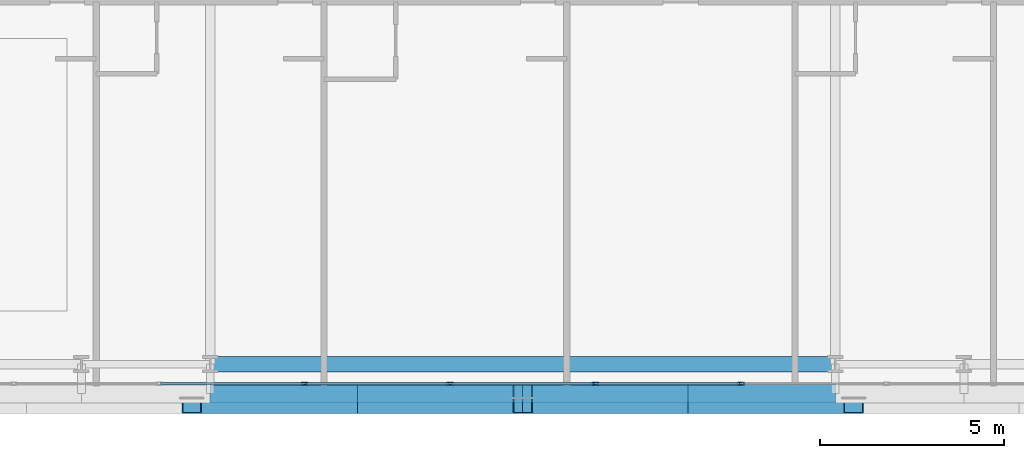
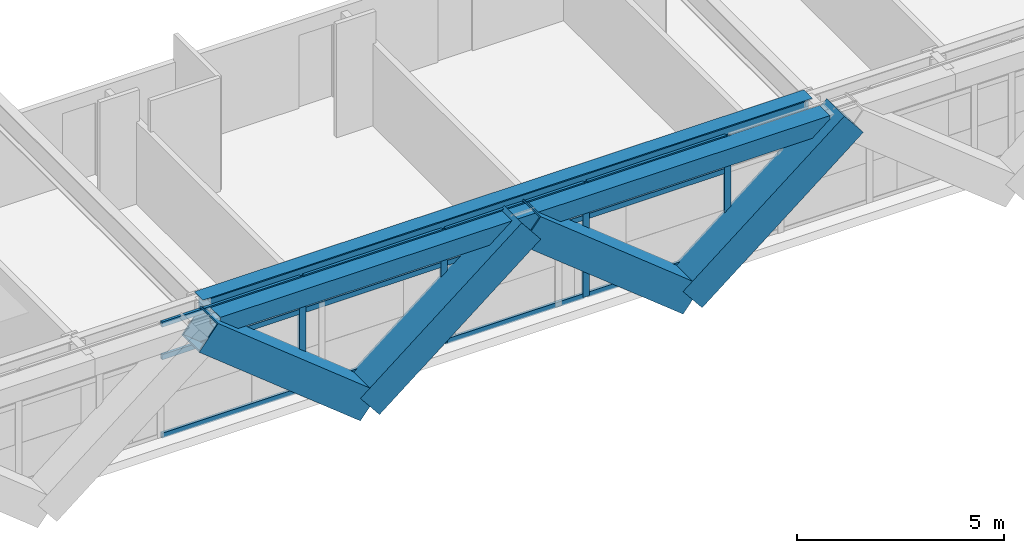
# One storey, part 5 of 41: 20 members, 2 beams, 1 element without a shape of its own.
"""IFC4 building model written with IfcOpenShell, lengths in metres."""

import ifcopenshell
import ifcopenshell.guid

model = None  # the IFC model being written
_history = None  # IfcOwnerHistory: only IFC2X3 demands one
_inside = {}  # id of a spatial element -> (the spatial element, [elements in it])
_under = {}  # id of a project, library or spatial element -> (it, [spatial elements below it])
_declared = {}  # id of a project -> (the project, [libraries it declares])
_typed = {}  # id of a type object -> (the type object, [elements of that type])
_made_of = {}  # id of a material, layer set ... -> (it, [elements and type objects made of it])


def new_model(schema):
    """Start an empty IFC model of exactly this schema.

    Asked for "IFC4X3", IfcOpenShell would pick the latest addendum, in which some entities
    have other attributes; the version numbers below select the first issue.
    IFC2X3 requires an IfcOwnerHistory on every rooted entity: one is made here for all.
    """
    global model, _history
    if schema == "IFC4X3":
        model = ifcopenshell.file(schema_version=(4, 3, 0, 0))
    else:
        model = ifcopenshell.file(schema=schema)
    _inside.clear()
    _under.clear()
    _declared.clear()
    _typed.clear()
    _made_of.clear()
    _history = None
    if model.schema == "IFC2X3":
        org = make("IfcOrganization", Name="unknown")
        user = make(
            "IfcPersonAndOrganization",
            ThePerson=make("IfcPerson", FamilyName="unknown"),
            TheOrganization=org,
        )
        app = make(
            "IfcApplication",
            ApplicationDeveloper=org,
            Version="unknown",
            ApplicationFullName="unknown",
            ApplicationIdentifier="unknown",
        )
        _history = make(
            "IfcOwnerHistory",
            OwningUser=user,
            OwningApplication=app,
            ChangeAction="ADDED",
            CreationDate=0,
        )
    return model


def make(cls, **values):
    """One entity of the class cls with the attributes given. An attribute that is None is left unset."""
    return model.create_entity(
        cls, **{name: value for name, value in values.items() if value is not None}
    )


def rooted(cls, **values):
    """An entity with a GlobalId (a new one), such as an element, a storey or a relation."""
    return make(cls, GlobalId=ifcopenshell.guid.new(), OwnerHistory=_history, **values)


def si_unit(unit_type, name, prefix=None):
    """IfcSIUnit, for example si_unit("LENGTHUNIT", "METRE", prefix="MILLI")."""
    return make("IfcSIUnit", UnitType=unit_type, Prefix=prefix, Name=name)


def assignment(units):
    """IfcUnitAssignment: the units of a project."""
    return None if units is None else make("IfcUnitAssignment", Units=units)


def point(xyz):
    """IfcCartesianPoint."""
    return None if xyz is None else make("IfcCartesianPoint", Coordinates=xyz)


def direction(xyz):
    """IfcDirection."""
    return None if xyz is None else make("IfcDirection", DirectionRatios=xyz)


def frame(location, z_axis=None, x_axis=None):
    """IfcAxis2Placement3D, a coordinate frame: its origin and axes. An axis left out is left unset."""
    return make(
        "IfcAxis2Placement3D",
        Location=point(location),
        Axis=direction(z_axis),
        RefDirection=direction(x_axis),
    )


def frame_2d(location, x_axis=None):
    """IfcAxis2Placement2D, a coordinate frame in the plane: its origin and x axis."""
    return make(
        "IfcAxis2Placement2D", Location=point(location), RefDirection=direction(x_axis)
    )


def origin():
    """The frame at (0, 0, 0) with its axes left unset."""
    return frame((0.0, 0.0, 0.0))


def origin_2d():
    """The frame at (0, 0) in the plane with its x axis left unset."""
    return frame_2d((0.0, 0.0))


def place(relative_to, where):
    """IfcLocalPlacement: puts the frame where relative to a parent placement (None: the world)."""
    return make(
        "IfcLocalPlacement", PlacementRelTo=relative_to, RelativePlacement=where
    )


def context(
    kind, dimensions, precision=None, world=None, true_north=None, identifier=None
):
    """IfcGeometricRepresentationContext, for example the 3D "Model" context."""
    return make(
        "IfcGeometricRepresentationContext",
        ContextIdentifier=identifier,
        ContextType=kind,
        CoordinateSpaceDimension=dimensions,
        Precision=precision,
        WorldCoordinateSystem=world,
        TrueNorth=true_north,
    )


def subcontext(parent, identifier, kind, view, scale=None):
    """IfcGeometricRepresentationSubContext, for example "Body" below "Model"."""
    return make(
        "IfcGeometricRepresentationSubContext",
        ContextIdentifier=identifier,
        ContextType=kind,
        ParentContext=parent,
        TargetScale=scale,
        TargetView=view,
    )


def project(units=None, contexts=None):
    """IfcProject with its units and contexts."""
    return rooted(
        "IfcProject",
        Name="project",
        RepresentationContexts=contexts,
        UnitsInContext=assignment(units),
    )


def spatial(cls, under=None, at=None, **own):
    """A site, building, storey or space (cls), placed at a placement, below another one or the project."""
    s = rooted(cls, ObjectPlacement=at, **own)
    if under is not None:
        _under.setdefault(under.id(), (under, []))[1].append(s)
    return s


def profile(cls, at=None, kind="AREA", **sizes):
    """A parametric profile (cls). Its sizes go by their IFC names, for example OverallWidth=200.0."""
    return make(cls, ProfileType=kind, Position=at, **sizes)


def hollow_rectangle(**sizes):
    """IfcRectangleHollowProfileDef."""
    return profile("IfcRectangleHollowProfileDef", **sizes)


def i_section(**sizes):
    """IfcIShapeProfileDef."""
    return profile("IfcIShapeProfileDef", **sizes)


def extrude(swept, where, along, depth):
    """IfcExtrudedAreaSolid: the profile swept, set in the frame where, extruded along a direction by depth."""
    return make(
        "IfcExtrudedAreaSolid",
        SweptArea=swept,
        Position=where,
        ExtrudedDirection=direction(along),
        Depth=depth,
    )


def shape(context_of_items, identifier, shape_type, items):
    """IfcShapeRepresentation: the items that make up one representation, for example the "Body"."""
    return make(
        "IfcShapeRepresentation",
        ContextOfItems=context_of_items,
        RepresentationIdentifier=identifier,
        RepresentationType=shape_type,
        Items=items,
    )


def source(mapping_origin, context_of_items, identifier, shape_type, items):
    """IfcRepresentationMap: a shape defined once, which mapped items show again and again."""
    return make(
        "IfcRepresentationMap",
        MappingOrigin=mapping_origin,
        MappedRepresentation=shape(context_of_items, identifier, shape_type, items),
    )


def transform(
    local_origin,
    x_axis=None,
    y_axis=None,
    z_axis=None,
    scale=None,
    scale2=None,
    scale3=None,
    uniform=True,
):
    """IfcCartesianTransformationOperator3D, or its non-uniform kind. x_axis, y_axis, z_axis: its Axis1, 2, 3."""
    if uniform:
        return make(
            "IfcCartesianTransformationOperator3D",
            Axis1=direction(x_axis),
            Axis2=direction(y_axis),
            LocalOrigin=point(local_origin),
            Scale=scale,
            Axis3=direction(z_axis),
        )
    return make(
        "IfcCartesianTransformationOperator3DnonUniform",
        Axis1=direction(x_axis),
        Axis2=direction(y_axis),
        LocalOrigin=point(local_origin),
        Scale=scale,
        Axis3=direction(z_axis),
        Scale2=scale2,
        Scale3=scale3,
    )


def mapped(mapping_source, mapping_target):
    """IfcMappedItem: shows the shape of a source again, moved by a transform."""
    return make(
        "IfcMappedItem", MappingSource=mapping_source, MappingTarget=mapping_target
    )


def material(Name=None, Category=None):
    """IfcMaterial."""
    return make("IfcMaterial", Name=Name, Category=Category)


def layer(
    of_material, thickness, ventilated=None, Name=None, Category=None, Priority=None
):
    """IfcMaterialLayer: one layer of a wall or slab, of a material (None: an air gap)."""
    return make(
        "IfcMaterialLayer",
        Material=of_material,
        LayerThickness=thickness,
        IsVentilated=ventilated,
        Name=Name,
        Category=Category,
        Priority=Priority,
    )


def layer_set(layers, Name=None):
    """IfcMaterialLayerSet."""
    return make("IfcMaterialLayerSet", MaterialLayers=layers, LayerSetName=Name)


def material_profile(
    of_material, cross_section, Name=None, Category=None, Priority=None
):
    """IfcMaterialProfile: a cross section and its material."""
    return make(
        "IfcMaterialProfile",
        Name=Name,
        Material=of_material,
        Profile=cross_section,
        Priority=Priority,
        Category=Category,
    )


def profile_set(profiles, Name=None, composite=None):
    """IfcMaterialProfileSet."""
    return make(
        "IfcMaterialProfileSet",
        Name=Name,
        MaterialProfiles=profiles,
        CompositeProfile=composite,
    )


def made_of(thing, what):
    """Note that an element or type object is made of a material, layer set ...; save() writes the relation."""
    if what is not None:
        _made_of.setdefault(what.id(), (what, []))[1].append(thing)
    return thing


def type_object(cls, material=None, **own):
    """A type object (cls), such as IfcWallType, which elements share."""
    return made_of(rooted(cls, **own), material)


def element(
    cls,
    number,
    at=None,
    inside=None,
    cuts=None,
    type_object=None,
    material=None,
    context=None,
    identifier="Body",
    shape_type=None,
    held_by="IfcProductDefinitionShape",
    body=None,
    shapes=None,
    **own,
):
    """One element of the class cls, such as IfcWall. Its Tag is "e" and its number.

    at: its placement. inside: the storey or other place that contains it. cuts: it is an
    opening in that element (IfcRelVoidsElement). A single representation is given by context,
    identifier, shape_type and body (its items); several are given by shapes. held_by: the class
    of the entity that holds the representations. save() writes the other relations.
    """
    e = rooted(cls, Tag="e%d" % number, ObjectPlacement=at, **own)
    if body is not None:
        shapes = [shape(context, identifier, shape_type, body)]
    if shapes is not None:
        e.Representation = make(held_by, Representations=shapes)
    if inside is not None:
        _inside.setdefault(inside.id(), (inside, []))[1].append(e)
    if cuts is not None:
        rooted(
            "IfcRelVoidsElement", RelatingBuildingElement=cuts, RelatedOpeningElement=e
        )
    if type_object is not None:
        _typed.setdefault(type_object.id(), (type_object, []))[1].append(e)
    return made_of(e, material)


def aggregate(whole, parts):
    """IfcRelAggregates: a whole, such as a stair, and the parts it consists of."""
    return rooted("IfcRelAggregates", RelatingObject=whole, RelatedObjects=parts)


def save(model, path):
    """Write the relations noted so far, then the file.

    IfcRelAggregates (storeys below a building ...), IfcRelContainedInSpatialStructure (elements
    in a storey), IfcRelDefinesByType, IfcRelAssociatesMaterial and IfcRelDeclares: one each for
    every whole, place, type object, material and project.
    """
    for whole, parts in _under.values():
        aggregate(whole, parts)
    for where, things in _inside.values():
        rooted(
            "IfcRelContainedInSpatialStructure",
            RelatedElements=things,
            RelatingStructure=where,
        )
    for kind, things in _typed.values():
        rooted("IfcRelDefinesByType", RelatedObjects=things, RelatingType=kind)
    for what, things in _made_of.values():
        rooted("IfcRelAssociatesMaterial", RelatedObjects=things, RelatingMaterial=what)
    for by, libraries in _declared.values():
        rooted("IfcRelDeclares", RelatingContext=by, RelatedDefinitions=libraries)
    model.write(path)


model = new_model("IFC4")

# Units and contexts
model_context = context("Model", 3, precision=1e-05, world=origin(), true_north=direction((0.0, 1.0)))
body_context = subcontext(model_context, "Body", "Model", "MODEL_VIEW")
ifc_project = project(units=[si_unit("LENGTHUNIT", "METRE"), si_unit("AREAUNIT", "SQUARE_METRE"), si_unit("VOLUMEUNIT", "CUBIC_METRE"), si_unit("PLANEANGLEUNIT", "RADIAN"), si_unit("MASSUNIT", "GRAM", prefix="KILO")], contexts=[model_context])

# Site, building, storey
site_placement = place(None, origin())
site = spatial("IfcSite", under=ifc_project, at=site_placement, CompositionType="ELEMENT")
building_placement = place(site_placement, origin())
building = spatial("IfcBuilding", under=site, at=building_placement, Name="Ocotamira Hotel", CompositionType="ELEMENT")
storey_placement = place(building_placement, frame((0.0, 0.0, 52.800048828125)))
storey = spatial("IfcBuildingStorey", under=building, at=storey_placement, Name="L12", CompositionType="ELEMENT", Elevation=52.800048828125)

# Beams
ifc_material_1 = material(Name="Steel ASTM A992 Grade 50", Category="steel")
ifc_material_profile_1 = material_profile(ifc_material_1, i_section(OverallWidth=0.41796875, OverallDepth=0.927001953125, WebThickness=0.019287109375, FlangeThickness=0.031982421875, FilletRadius=0.02392578125, at=origin_2d()), Name="W36X231")
ifc_profile_set_1 = profile_set([ifc_material_profile_1], Name="Steel ASTM A992 Grade 50")
beam_type_1 = type_object("IfcBeamType", Name="BM-GIRD-W36X231", PredefinedType="BEAM", material=ifc_profile_set_1)
shared_shape_1 = source(origin(), body_context, "Body", "SweptSolid", [
    extrude(i_section(OverallWidth=0.41796875, OverallDepth=0.927001953125, WebThickness=0.019287109375, FlangeThickness=0.031982421875, FilletRadius=0.02392578125, at=origin_2d()), origin(), (0.0, 0.0, 1.0), 17.0),
])
beam_1_placement = place(storey_placement, frame((23.5, 2.949951171875, 2.886474609375), z_axis=(1.0, 0.0, 0.0), x_axis=(0.0, 1.0, 0.0)))
element("IfcBeam", 1, at=beam_1_placement, inside=storey, type_object=beam_type_1, Name="L12 Girder Y2.95 X23.5-40.5", PredefinedType="BEAM", context=body_context, shape_type="MappedRepresentation", body=[
    mapped(shared_shape_1, transform((0.0, 0.0, 0.0), scale=1.0)),
])
ifc_material_2 = material(Name="Steel ASTM A500 Grade C", Category="steel")
ifc_material_profile_2 = material_profile(ifc_material_2, hollow_rectangle(XDim=0.5, YDim=0.5, WallThickness=0.02001953125, at=origin_2d()), Name="HSS500X500X20")
ifc_profile_set_2 = profile_set([ifc_material_profile_2], Name="Steel ASTM A500 Grade C")
beam_type_2 = type_object("IfcBeamType", Name="BM-SPAN-HSS500", PredefinedType="USERDEFINED", material=ifc_profile_set_2)
shared_shape_2 = source(origin(), body_context, "Body", "SweptSolid", [
    extrude(hollow_rectangle(XDim=0.5, YDim=0.5, WallThickness=0.02001953125, at=origin_2d()), origin(), (0.0, 0.0, 1.0), 17.0),
])
beam_2_placement = place(storey_placement, frame((23.5, 2.14990234375, 3.099853515625), z_axis=(1.0, 0.0, 0.0), x_axis=(0.0, 1.0, 0.0)))
element("IfcBeam", 2, at=beam_2_placement, inside=storey, type_object=beam_type_2, Name="L12 Edge Spandrel S X23.5-40.5", ObjectType="SPANDREL", PredefinedType="USERDEFINED", context=body_context, shape_type="MappedRepresentation", body=[
    mapped(shared_shape_2, transform((0.0, 0.0, 0.0), scale=1.0)),
])

# Members
ifc_material_3 = material(Name="Pale-metal coated steel ASTM A913 Grade 65", Category="steel")
ifc_material_profile_3 = material_profile(ifc_material_3, hollow_rectangle(XDim=0.85009765625, YDim=0.85009765625, WallThickness=0.035888671875, at=origin_2d()), Name="BOX850X850X36")
ifc_profile_set_3 = profile_set([ifc_material_profile_3], Name="Pale-metal coated steel ASTM A913 Grade 65")
member_type_1 = type_object("IfcMemberType", Name="MEM-EXO-BOX850", PredefinedType="BRACE", material=ifc_profile_set_3)
shared_shape_3 = source(origin(), body_context, "Body", "SweptSolid", [
    extrude(hollow_rectangle(XDim=0.85009765625, YDim=0.85009765625, WallThickness=0.035888671875, at=origin_2d()), origin(), (0.0, 0.0, 1.0), 5.7626953125),
])
for number, where, z_axis, x_axis, name in (
    (3, (27.5, 2.030029296875, -0.5), (-0.780881208953, 0.0, 0.624679547852), (0.0, -1.0, 0.0), "L12 Exoskeleton Diagrid S1.1"),
    (4, (27.5, 2.030029296875, -0.5), (0.780881208953, 0.0, 0.624679547852), (0.0, 1.0, 0.0), "L12 Exoskeleton Diagrid S1.2"),
    (5, (36.5, 2.030029296875, -0.5), (-0.780881208953, 0.0, 0.624679547852), (0.0, -1.0, 0.0), "L12 Exoskeleton Diagrid S2.1"),
    (6, (36.5, 2.030029296875, -0.5), (0.780881208953, 0.0, 0.624679547852), (0.0, 1.0, 0.0), "L12 Exoskeleton Diagrid S2.2"),
):
    element("IfcMember", number, at=place(storey_placement, frame(where, z_axis=z_axis, x_axis=x_axis)), inside=storey, type_object=member_type_1, Name=name, PredefinedType="BRACE", context=body_context, shape_type="MappedRepresentation", body=[
        mapped(shared_shape_3, transform((0.0, 0.0, 0.0), scale=1.0)),
    ])

# Curtain wall, members
ifc_material_4 = material(Name="Anodised pale-metal aluminium and solar glass", Category="aluminium")
ifc_layer = layer(ifc_material_4, 0.179931640625)
ifc_layer_set = layer_set([ifc_layer], Name="Anodised pale-metal aluminium and solar glass")
curtain_wall_type = type_object("IfcCurtainWallType", Name="CW-SYS2-Z1", PredefinedType="NOTDEFINED", material=ifc_layer_set)
curtain_wall_placement = place(storey_placement, origin())
curtain_wall = element("IfcCurtainWall", 7, at=curtain_wall_placement, inside=storey, type_object=curtain_wall_type, Name="L12 Curtain Wall CW-2 CW-L12-S1", PredefinedType="NOTDEFINED")
ifc_material_5 = material(Name="Anodised pale-metal aluminium 6063-T6", Category="aluminium")
ifc_material_profile_4 = material_profile(ifc_material_5, hollow_rectangle(XDim=0.080078125, YDim=0.179931640625, WallThickness=0.006103515625, at=origin_2d()), Name="HSS180X80X6")
ifc_profile_set_4 = profile_set([ifc_material_profile_4], Name="Anodised pale-metal aluminium 6063-T6")
member_type_2 = type_object("IfcMemberType", Name="CWM-180X75", PredefinedType="MULLION", material=ifc_profile_set_4)
shared_shape_4 = source(origin(), body_context, "Body", "SweptSolid", [
    extrude(hollow_rectangle(XDim=0.080078125, YDim=0.179931640625, WallThickness=0.006103515625, at=origin_2d()), origin(), (0.0, 0.0, 1.0), 3.349853515625),
])
member_1_placement = place(storey_placement, frame((26.066650390625, 2.419921875, 0.0), z_axis=(0.0, 0.0, 1.0), x_axis=(0.0, 1.0, 0.0)))
member_1 = element("IfcMember", 8, at=member_1_placement, type_object=member_type_2, Name="CW-2 mullion 4", PredefinedType="MULLION", context=body_context, shape_type="MappedRepresentation", body=[
    mapped(shared_shape_4, transform((0.0, 0.0, 0.0), scale=1.0)),
])
member_2_placement = place(storey_placement, frame((30.022216796875, 2.419921875, 0.0), z_axis=(0.0, 0.0, 1.0), x_axis=(0.0, 1.0, 0.0)))
member_2 = element("IfcMember", 9, at=member_2_placement, type_object=member_type_2, Name="CW-2 mullion 5", PredefinedType="MULLION", context=body_context, shape_type="MappedRepresentation", body=[
    mapped(shared_shape_4, transform((0.0, 0.0, 0.0), scale=1.0)),
])
member_3_placement = place(storey_placement, frame((33.977783203125, 2.419921875, 0.0), z_axis=(0.0, 0.0, 1.0), x_axis=(0.0, 1.0, 0.0)))
member_3 = element("IfcMember", 10, at=member_3_placement, type_object=member_type_2, Name="CW-2 mullion 6", PredefinedType="MULLION", context=body_context, shape_type="MappedRepresentation", body=[
    mapped(shared_shape_4, transform((0.0, 0.0, 0.0), scale=1.0)),
])
member_4_placement = place(storey_placement, frame((37.933349609375, 2.419921875, 0.0), z_axis=(0.0, 0.0, 1.0), x_axis=(0.0, 1.0, 0.0)))
member_4 = element("IfcMember", 11, at=member_4_placement, type_object=member_type_2, Name="CW-2 mullion 7", PredefinedType="MULLION", context=body_context, shape_type="MappedRepresentation", body=[
    mapped(shared_shape_4, transform((0.0, 0.0, 0.0), scale=1.0)),
])
ifc_material_profile_5 = material_profile(ifc_material_5, hollow_rectangle(XDim=0.074951171875, YDim=0.14990234375, WallThickness=0.006103515625, at=origin_2d()), Name="HSS150X75X6")
ifc_profile_set_5 = profile_set([ifc_material_profile_5], Name="Anodised pale-metal aluminium 6063-T6")
member_type_3 = type_object("IfcMemberType", Name="CWT-150X75", PredefinedType="USERDEFINED", material=ifc_profile_set_5)
shared_shape_5 = source(origin(), body_context, "Body", "SweptSolid", [
    extrude(hollow_rectangle(XDim=0.074951171875, YDim=0.14990234375, WallThickness=0.006103515625, at=origin_2d()), origin(), (0.0, 0.0, 1.0), 3.87548828125),
])
member_5_placement = place(storey_placement, frame((22.151123046875, 2.419921875, 0.037353515625), z_axis=(1.0, 0.0, 0.0), x_axis=(0.0, 1.0, 0.0)))
member_5 = element("IfcMember", 12, at=member_5_placement, type_object=member_type_3, Name="CW-2 transom 3.1", ObjectType="TRANSOM", PredefinedType="USERDEFINED", context=body_context, shape_type="MappedRepresentation", body=[
    mapped(shared_shape_5, transform((0.0, 0.0, 0.0), scale=1.0)),
])
member_6_placement = place(storey_placement, frame((22.151123046875, 2.419921875, 2.349853515625), z_axis=(1.0, 0.0, 0.0), x_axis=(0.0, 1.0, 0.0)))
member_6 = element("IfcMember", 13, at=member_6_placement, type_object=member_type_3, Name="CW-2 transom 3.2", ObjectType="TRANSOM", PredefinedType="USERDEFINED", context=body_context, shape_type="MappedRepresentation", body=[
    mapped(shared_shape_5, transform((0.0, 0.0, 0.0), scale=1.0)),
])
member_7_placement = place(storey_placement, frame((22.151123046875, 2.419921875, 3.3125), z_axis=(1.0, 0.0, 0.0), x_axis=(0.0, 1.0, 0.0)))
member_7 = element("IfcMember", 14, at=member_7_placement, type_object=member_type_3, Name="CW-2 transom 3.3", ObjectType="TRANSOM", PredefinedType="USERDEFINED", context=body_context, shape_type="MappedRepresentation", body=[
    mapped(shared_shape_5, transform((0.0, 0.0, 0.0), scale=1.0)),
])
member_8_placement = place(storey_placement, frame((26.106689453125, 2.419921875, 0.037353515625), z_axis=(1.0, 0.0, 0.0), x_axis=(0.0, 1.0, 0.0)))
member_8 = element("IfcMember", 15, at=member_8_placement, type_object=member_type_3, Name="CW-2 transom 4.1", ObjectType="TRANSOM", PredefinedType="USERDEFINED", context=body_context, shape_type="MappedRepresentation", body=[
    mapped(shared_shape_5, transform((0.0, 0.0, 0.0), scale=1.0)),
])
member_9_placement = place(storey_placement, frame((26.106689453125, 2.419921875, 2.349853515625), z_axis=(1.0, 0.0, 0.0), x_axis=(0.0, 1.0, 0.0)))
member_9 = element("IfcMember", 16, at=member_9_placement, type_object=member_type_3, Name="CW-2 transom 4.2", ObjectType="TRANSOM", PredefinedType="USERDEFINED", context=body_context, shape_type="MappedRepresentation", body=[
    mapped(shared_shape_5, transform((0.0, 0.0, 0.0), scale=1.0)),
])
member_10_placement = place(storey_placement, frame((26.106689453125, 2.419921875, 3.3125), z_axis=(1.0, 0.0, 0.0), x_axis=(0.0, 1.0, 0.0)))
member_10 = element("IfcMember", 17, at=member_10_placement, type_object=member_type_3, Name="CW-2 transom 4.3", ObjectType="TRANSOM", PredefinedType="USERDEFINED", context=body_context, shape_type="MappedRepresentation", body=[
    mapped(shared_shape_5, transform((0.0, 0.0, 0.0), scale=1.0)),
])
member_11_placement = place(storey_placement, frame((30.062255859375, 2.419921875, 0.037353515625), z_axis=(1.0, 0.0, 0.0), x_axis=(0.0, 1.0, 0.0)))
member_11 = element("IfcMember", 18, at=member_11_placement, type_object=member_type_3, Name="CW-2 transom 5.1", ObjectType="TRANSOM", PredefinedType="USERDEFINED", context=body_context, shape_type="MappedRepresentation", body=[
    mapped(shared_shape_5, transform((0.0, 0.0, 0.0), scale=1.0)),
])
member_12_placement = place(storey_placement, frame((30.062255859375, 2.419921875, 2.349853515625), z_axis=(1.0, 0.0, 0.0), x_axis=(0.0, 1.0, 0.0)))
member_12 = element("IfcMember", 19, at=member_12_placement, type_object=member_type_3, Name="CW-2 transom 5.2", ObjectType="TRANSOM", PredefinedType="USERDEFINED", context=body_context, shape_type="MappedRepresentation", body=[
    mapped(shared_shape_5, transform((0.0, 0.0, 0.0), scale=1.0)),
])
member_13_placement = place(storey_placement, frame((30.062255859375, 2.419921875, 3.3125), z_axis=(1.0, 0.0, 0.0), x_axis=(0.0, 1.0, 0.0)))
member_13 = element("IfcMember", 20, at=member_13_placement, type_object=member_type_3, Name="CW-2 transom 5.3", ObjectType="TRANSOM", PredefinedType="USERDEFINED", context=body_context, shape_type="MappedRepresentation", body=[
    mapped(shared_shape_5, transform((0.0, 0.0, 0.0), scale=1.0)),
])
member_14_placement = place(storey_placement, frame((34.017822265625, 2.419921875, 0.037353515625), z_axis=(1.0, 0.0, 0.0), x_axis=(0.0, 1.0, 0.0)))
member_14 = element("IfcMember", 21, at=member_14_placement, type_object=member_type_3, Name="CW-2 transom 6.1", ObjectType="TRANSOM", PredefinedType="USERDEFINED", context=body_context, shape_type="MappedRepresentation", body=[
    mapped(shared_shape_5, transform((0.0, 0.0, 0.0), scale=1.0)),
])
member_15_placement = place(storey_placement, frame((34.017822265625, 2.419921875, 2.349853515625), z_axis=(1.0, 0.0, 0.0), x_axis=(0.0, 1.0, 0.0)))
member_15 = element("IfcMember", 22, at=member_15_placement, type_object=member_type_3, Name="CW-2 transom 6.2", ObjectType="TRANSOM", PredefinedType="USERDEFINED", context=body_context, shape_type="MappedRepresentation", body=[
    mapped(shared_shape_5, transform((0.0, 0.0, 0.0), scale=1.0)),
])
member_16_placement = place(storey_placement, frame((34.017822265625, 2.419921875, 3.3125), z_axis=(1.0, 0.0, 0.0), x_axis=(0.0, 1.0, 0.0)))
member_16 = element("IfcMember", 23, at=member_16_placement, type_object=member_type_3, Name="CW-2 transom 6.3", ObjectType="TRANSOM", PredefinedType="USERDEFINED", context=body_context, shape_type="MappedRepresentation", body=[
    mapped(shared_shape_5, transform((0.0, 0.0, 0.0), scale=1.0)),
])
aggregate(curtain_wall, [member_1, member_2, member_3, member_4, member_5, member_6, member_7, member_8, member_9, member_10, member_11, member_12, member_13, member_14, member_15, member_16])

save(model, "model.ifc")
